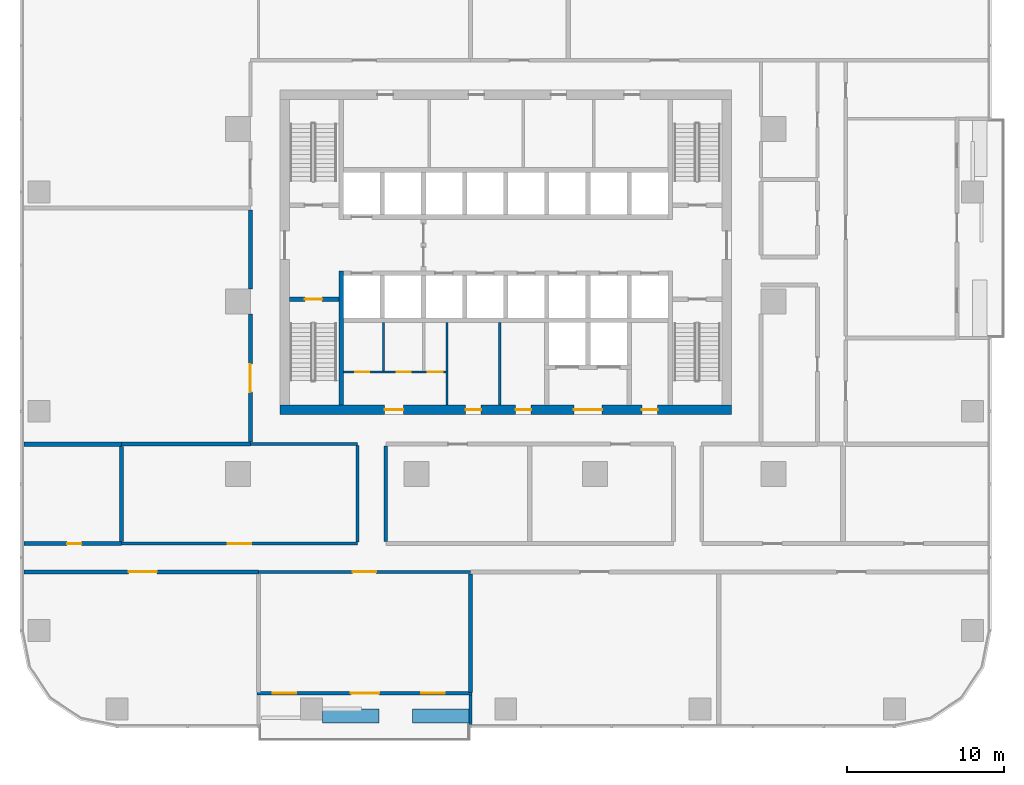
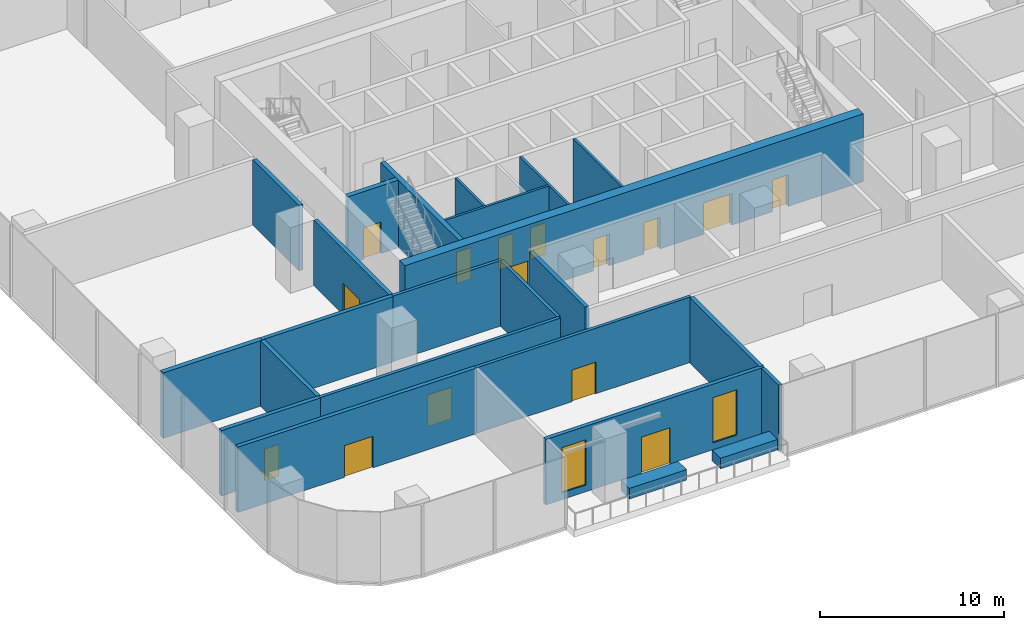
# One storey, part 7 of 15: 24 walls, 15 doors, 2 windows, 17 openings.
"""IFC4 building model written with IfcOpenShell, lengths in metres."""

from ifc_helpers import new_model, si_unit, direction, frame, frame_2d, origin, place, context, subcontext, project, spatial, rectangle, extrude, material, layer, layer_set, type_object, element, fill, save


model = new_model("IFC4")

# Units and contexts
model_context = context("Model", 3, precision=1e-05, world=origin(), true_north=direction((0.0, 1.0)))
body_context = subcontext(model_context, "Body", "Model", "MODEL_VIEW")
ifc_project = project(units=[si_unit("LENGTHUNIT", "METRE"), si_unit("AREAUNIT", "SQUARE_METRE"), si_unit("VOLUMEUNIT", "CUBIC_METRE"), si_unit("PLANEANGLEUNIT", "RADIAN"), si_unit("MASSUNIT", "GRAM", prefix="KILO")], contexts=[model_context])

# Site, building, storey
site_placement = place(None, origin())
site = spatial("IfcSite", under=ifc_project, at=site_placement, CompositionType="ELEMENT")
building_placement = place(site_placement, origin())
building = spatial("IfcBuilding", under=site, at=building_placement, Name="Mopane Tessera Tower", CompositionType="ELEMENT")
storey_placement = place(building_placement, frame((0.0, 0.0, 79.0)))
storey = spatial("IfcBuildingStorey", under=building, at=storey_placement, Name="L15", CompositionType="ELEMENT", Elevation=79.0)

# Wall, openings, doors
ifc_material_1 = material(Name="Fire-rated gypsum board partition")
ifc_layer_1 = layer(ifc_material_1, 0.14990234375)
ifc_layer_set_1 = layer_set([ifc_layer_1], Name="Fire-rated gypsum board partition")
wall_type_1 = type_object("IfcWallType", Name="Core room partition 150 mm", PredefinedType="PARTITIONING", material=ifc_layer_set_1)
wall_1_placement = place(storey_placement, frame((-10.35009765625, -4.5, 0.0), z_axis=(0.0, 0.0, 1.0), x_axis=(1.0, 0.0, 0.0)))
wall_1 = element("IfcWall", 1, at=wall_1_placement, inside=storey, type_object=wall_type_1, Name="L15 WC partition", PredefinedType="PARTITIONING", context=body_context, shape_type="SweptSolid", body=[
    extrude(rectangle(XDim=6.525146484375, YDim=0.14990234375, at=frame_2d((3.2626953125, 0.0))), origin(), (0.0, 0.0, 1.0), 4.5),
])
opening_1_placement = place(wall_1_placement, frame((0.75, 0.0, 0.0)))
opening_1 = element("IfcOpeningElement", 2, at=opening_1_placement, cuts=wall_1, Name="Opening WD1", PredefinedType="OPENING", context=body_context, shape_type="SweptSolid", body=[
    extrude(rectangle(XDim=0.89990234375, YDim=2.10009765625, at=frame_2d((0.449951171875, 1.050048828125))), frame((0.0, 0.0869140625, 0.0), z_axis=(0.0, -1.0, 0.0), x_axis=(1.0, 0.0, 0.0)), (0.0, 0.0, 1.0), 0.173828125),
])
opening_2_placement = place(wall_1_placement, frame((3.382568359375, 0.0, 0.0)))
opening_2 = element("IfcOpeningElement", 3, at=opening_2_placement, cuts=wall_1, Name="Opening WD1", PredefinedType="OPENING", context=body_context, shape_type="SweptSolid", body=[
    extrude(rectangle(XDim=0.89990234375, YDim=2.10009765625, at=frame_2d((0.449951171875, 1.050048828125))), frame((0.0, 0.0869140625, 0.0), z_axis=(0.0, -1.0, 0.0), x_axis=(1.0, 0.0, 0.0)), (0.0, 0.0, 1.0), 0.173828125),
])
opening_3_placement = place(wall_1_placement, frame((5.382568359375, 0.0, 0.0)))
opening_3 = element("IfcOpeningElement", 4, at=opening_3_placement, cuts=wall_1, Name="Opening WD2", PredefinedType="OPENING", context=body_context, shape_type="SweptSolid", body=[
    extrude(rectangle(XDim=0.949951171875, YDim=2.10009765625, at=frame_2d((0.47509765625, 1.050048828125))), frame((0.0, 0.0869140625, 0.0), z_axis=(0.0, -1.0, 0.0), x_axis=(1.0, 0.0, 0.0)), (0.0, 0.0, 1.0), 0.173828125),
])
ifc_material_2 = material(Name="Timber door", Category="wood")
door_type_1 = type_object("IfcDoorType", Name="Accessible WC door 950 x 2100", OperationType="SINGLE_SWING_LEFT", PredefinedType="DOOR", material=ifc_material_2)
door_1_placement = place(opening_3_placement, origin())
door_1 = element("IfcDoor", 5, at=door_1_placement, inside=storey, type_object=door_type_1, Name="L15 Accessible WC door", OperationType="SINGLE_SWING_LEFT", OverallHeight=2.10009765625, OverallWidth=0.949951171875, PredefinedType="DOOR", context=body_context, shape_type="SweptSolid", body=[
    extrude(rectangle(XDim=0.949951171875, YDim=2.10009765625, at=frame_2d((0.47509765625, 1.050048828125))), frame((0.0, 0.02490234375, 0.0), z_axis=(0.0, -1.0, 0.0), x_axis=(1.0, 0.0, 0.0)), (0.0, 0.0, 1.0), 0.050048828125),
])
fill(opening_3, door_1)
ifc_material_3 = material(Name="Timber door", Category="wood")
door_type_2 = type_object("IfcDoorType", Name="WC cubicle door 900 x 2100", OperationType="SINGLE_SWING_LEFT", PredefinedType="DOOR", material=ifc_material_3)
door_2_placement = place(opening_1_placement, origin())
door_2 = element("IfcDoor", 6, at=door_2_placement, inside=storey, type_object=door_type_2, Name="L15 Men's WC door", OperationType="SINGLE_SWING_LEFT", OverallHeight=2.10009765625, OverallWidth=0.89990234375, PredefinedType="DOOR", context=body_context, shape_type="SweptSolid", body=[
    extrude(rectangle(XDim=0.89990234375, YDim=2.10009765625, at=frame_2d((0.449951171875, 1.050048828125))), frame((0.0, 0.02490234375, 0.0), z_axis=(0.0, -1.0, 0.0), x_axis=(1.0, 0.0, 0.0)), (0.0, 0.0, 1.0), 0.050048828125),
])
fill(opening_1, door_2)
door_3_placement = place(opening_2_placement, origin())
door_3 = element("IfcDoor", 7, at=door_3_placement, inside=storey, type_object=door_type_2, Name="L15 Women's WC door", OperationType="SINGLE_SWING_LEFT", OverallHeight=2.10009765625, OverallWidth=0.89990234375, PredefinedType="DOOR", context=body_context, shape_type="SweptSolid", body=[
    extrude(rectangle(XDim=0.89990234375, YDim=2.10009765625, at=frame_2d((0.449951171875, 1.050048828125))), frame((0.0, 0.02490234375, 0.0), z_axis=(0.0, -1.0, 0.0), x_axis=(1.0, 0.0, 0.0)), (0.0, 0.0, 1.0), 0.050048828125),
])
fill(opening_2, door_3)

# Walls
wall_2_placement = place(storey_placement, frame((-7.800048828125, -4.425048828125, 0.0), z_axis=(0.0, 0.0, 1.0), x_axis=(0.0, 1.0, 0.0)))
element("IfcWall", 8, at=wall_2_placement, inside=storey, type_object=wall_type_1, Name="L15 WC partition", PredefinedType="PARTITIONING", context=body_context, shape_type="SweptSolid", body=[
    extrude(rectangle(XDim=3.074951171875, YDim=0.14990234375, at=frame_2d((1.53759765625, 0.0))), origin(), (0.0, 0.0, 1.0), 4.5),
])
for number, where, z_axis, x_axis, name in (
    (9, (-3.75, -6.60009765625, 0.0), (0.0, 0.0, 1.0), (0.0, 1.0, 0.0), "L15 Room partition"),
    (10, (-0.375, -6.60009765625, 0.0), (0.0, 0.0, 1.0), (0.0, 1.0, 0.0), "L15 Room partition"),
):
    element("IfcWall", number, at=place(storey_placement, frame(where, z_axis=z_axis, x_axis=x_axis)), inside=storey, type_object=wall_type_1, Name=name, PredefinedType="PARTITIONING", context=body_context, shape_type="SweptSolid", body=[
        extrude(rectangle(XDim=5.25, YDim=0.14990234375, at=frame_2d((2.625, 0.0))), origin(), (0.0, 0.0, 1.0), 4.5),
    ])

# Wall, openings, doors
ifc_material_4 = material(Name="Concrete C70/85", Category="concrete")
ifc_layer_2 = layer(ifc_material_4, 0.60009765625)
ifc_layer_set_2 = layer_set([ifc_layer_2], Name="Concrete C70/85")
wall_type_2 = type_object("IfcWallType", Name="Core shear wall 600 mm", PredefinedType="SHEAR", material=ifc_layer_set_2)
wall_3_placement = place(storey_placement, frame((-14.39990234375, -6.89990234375, 0.0), z_axis=(0.0, 0.0, 1.0), x_axis=(1.0, 0.0, 0.0)))
wall_3 = element("IfcWall", 11, at=wall_3_placement, inside=storey, type_object=wall_type_2, Name="L15 Core wall south", PredefinedType="SHEAR", context=body_context, shape_type="SweptSolid", body=[
    extrude(rectangle(XDim=28.7998046875, YDim=0.60009765625, at=frame_2d((14.39990234375, 0.0))), origin(), (0.0, 0.0, 1.0), 4.5),
])
opening_4_placement = place(wall_3_placement, frame((6.675048828125, 0.0, 0.0)))
opening_4 = element("IfcOpeningElement", 12, at=opening_4_placement, cuts=wall_3, Name="Opening WD3", PredefinedType="OPENING", context=body_context, shape_type="SweptSolid", body=[
    extrude(rectangle(XDim=1.199951171875, YDim=2.10009765625, at=frame_2d((0.60009765625, 1.050048828125))), frame((0.0, 0.31201171875, 0.0), z_axis=(0.0, -1.0, 0.0), x_axis=(1.0, 0.0, 0.0)), (0.0, 0.0, 1.0), 0.6240234375),
])
opening_5_placement = place(wall_3_placement, frame((11.83740234375, 0.0, 0.0)))
opening_5 = element("IfcOpeningElement", 13, at=opening_5_placement, cuts=wall_3, Name="Opening RD1", PredefinedType="OPENING", context=body_context, shape_type="SweptSolid", body=[
    extrude(rectangle(XDim=1.0, YDim=2.10009765625, at=frame_2d((0.5, 1.050048828125))), frame((0.0, 0.31201171875, 0.0), z_axis=(0.0, -1.0, 0.0), x_axis=(1.0, 0.0, 0.0)), (0.0, 0.0, 1.0), 0.6240234375),
])
opening_6_placement = place(wall_3_placement, frame((15.02490234375, 0.0, 0.0)))
opening_6 = element("IfcOpeningElement", 14, at=opening_6_placement, cuts=wall_3, Name="Opening RD1", PredefinedType="OPENING", context=body_context, shape_type="SweptSolid", body=[
    extrude(rectangle(XDim=1.0, YDim=2.10009765625, at=frame_2d((0.5, 1.050048828125))), frame((0.0, 0.31201171875, 0.0), z_axis=(0.0, -1.0, 0.0), x_axis=(1.0, 0.0, 0.0)), (0.0, 0.0, 1.0), 0.6240234375),
])
opening_7_placement = place(wall_3_placement, frame((18.75, 0.0, 0.0)))
opening_7 = element("IfcOpeningElement", 15, at=opening_7_placement, cuts=wall_3, Name="Opening SD2", PredefinedType="OPENING", context=body_context, shape_type="SweptSolid", body=[
    extrude(rectangle(XDim=1.800048828125, YDim=2.10009765625, at=frame_2d((0.89990234375, 1.050048828125))), frame((0.0, 0.31201171875, 0.0), z_axis=(0.0, -1.0, 0.0), x_axis=(1.0, 0.0, 0.0)), (0.0, 0.0, 1.0), 0.6240234375),
])
opening_8_placement = place(wall_3_placement, frame((23.08740234375, 0.0, 0.0)))
opening_8 = element("IfcOpeningElement", 16, at=opening_8_placement, cuts=wall_3, Name="Opening RD1", PredefinedType="OPENING", context=body_context, shape_type="SweptSolid", body=[
    extrude(rectangle(XDim=1.0, YDim=2.10009765625, at=frame_2d((0.5, 1.050048828125))), frame((0.0, 0.31201171875, 0.0), z_axis=(0.0, -1.0, 0.0), x_axis=(1.0, 0.0, 0.0)), (0.0, 0.0, 1.0), 0.6240234375),
])
ifc_material_5 = material(Name="Steel fire door", Category="steel")
door_type_3 = type_object("IfcDoorType", Name="Core entrance double door 1800 x 2100", OperationType="DOUBLE_DOOR_SINGLE_SWING", PredefinedType="DOOR", material=ifc_material_5)
door_4_placement = place(opening_7_placement, origin())
door_4 = element("IfcDoor", 17, at=door_4_placement, inside=storey, type_object=door_type_3, Name="L15 Service lobby door", OperationType="DOUBLE_DOOR_SINGLE_SWING", OverallHeight=2.10009765625, OverallWidth=1.800048828125, PredefinedType="DOOR", context=body_context, shape_type="SweptSolid", body=[
    extrude(rectangle(XDim=1.800048828125, YDim=2.10009765625, at=frame_2d((0.89990234375, 1.050048828125))), frame((0.0, 0.02490234375, 0.0), z_axis=(0.0, -1.0, 0.0), x_axis=(1.0, 0.0, 0.0)), (0.0, 0.0, 1.0), 0.050048828125),
])
fill(opening_7, door_4)
ifc_material_6 = material(Name="Timber door", Category="wood")
door_type_4 = type_object("IfcDoorType", Name="Core room door 1000 x 2100", OperationType="SINGLE_SWING_LEFT", PredefinedType="DOOR", material=ifc_material_6)
door_5_placement = place(opening_5_placement, origin())
door_5 = element("IfcDoor", 18, at=door_5_placement, inside=storey, type_object=door_type_4, Name="L15 Room door", OperationType="SINGLE_SWING_LEFT", OverallHeight=2.10009765625, OverallWidth=1.0, PredefinedType="DOOR", context=body_context, shape_type="SweptSolid", body=[
    extrude(rectangle(XDim=1.0, YDim=2.10009765625, at=frame_2d((0.5, 1.050048828125))), frame((0.0, 0.02490234375, 0.0), z_axis=(0.0, -1.0, 0.0), x_axis=(1.0, 0.0, 0.0)), (0.0, 0.0, 1.0), 0.050048828125),
])
fill(opening_5, door_5)
door_6_placement = place(opening_6_placement, origin())
door_6 = element("IfcDoor", 19, at=door_6_placement, inside=storey, type_object=door_type_4, Name="L15 Room door", OperationType="SINGLE_SWING_LEFT", OverallHeight=2.10009765625, OverallWidth=1.0, PredefinedType="DOOR", context=body_context, shape_type="SweptSolid", body=[
    extrude(rectangle(XDim=1.0, YDim=2.10009765625, at=frame_2d((0.5, 1.050048828125))), frame((0.0, 0.02490234375, 0.0), z_axis=(0.0, -1.0, 0.0), x_axis=(1.0, 0.0, 0.0)), (0.0, 0.0, 1.0), 0.050048828125),
])
fill(opening_6, door_6)
door_7_placement = place(opening_8_placement, origin())
door_7 = element("IfcDoor", 20, at=door_7_placement, inside=storey, type_object=door_type_4, Name="L15 Room door", OperationType="SINGLE_SWING_LEFT", OverallHeight=2.10009765625, OverallWidth=1.0, PredefinedType="DOOR", context=body_context, shape_type="SweptSolid", body=[
    extrude(rectangle(XDim=1.0, YDim=2.10009765625, at=frame_2d((0.5, 1.050048828125))), frame((0.0, 0.02490234375, 0.0), z_axis=(0.0, -1.0, 0.0), x_axis=(1.0, 0.0, 0.0)), (0.0, 0.0, 1.0), 0.050048828125),
])
fill(opening_8, door_7)
ifc_material_7 = material(Name="Timber door", Category="wood")
door_type_5 = type_object("IfcDoorType", Name="WC lobby door 1200 x 2100", OperationType="SINGLE_SWING_LEFT", PredefinedType="DOOR", material=ifc_material_7)
door_8_placement = place(opening_4_placement, origin())
door_8 = element("IfcDoor", 21, at=door_8_placement, inside=storey, type_object=door_type_5, Name="L15 WC lobby door", OperationType="SINGLE_SWING_LEFT", OverallHeight=2.10009765625, OverallWidth=1.199951171875, PredefinedType="DOOR", context=body_context, shape_type="SweptSolid", body=[
    extrude(rectangle(XDim=1.199951171875, YDim=2.10009765625, at=frame_2d((0.60009765625, 1.050048828125))), frame((0.0, 0.02490234375, 0.0), z_axis=(0.0, -1.0, 0.0), x_axis=(1.0, 0.0, 0.0)), (0.0, 0.0, 1.0), 0.050048828125),
])
fill(opening_4, door_8)

# Wall
ifc_material_8 = material(Name="Concrete C60/75", Category="concrete")
ifc_layer_3 = layer(ifc_material_8, 0.300048828125)
ifc_layer_set_3 = layer_set([ifc_layer_3], Name="Concrete C60/75")
wall_type_3 = type_object("IfcWallType", Name="Core spine wall 300 mm", PredefinedType="SHEAR", material=ifc_layer_set_3)
wall_4_placement = place(storey_placement, frame((-10.5, -6.60009765625, 0.0), z_axis=(0.0, 0.0, 1.0), x_axis=(0.0, 1.0, 0.0)))
element("IfcWall", 22, at=wall_4_placement, inside=storey, type_object=wall_type_3, Name="L15 Core spine wall", PredefinedType="SHEAR", context=body_context, shape_type="SweptSolid", body=[
    extrude(rectangle(XDim=8.550048828125, YDim=0.300048828125, at=frame_2d((4.27490234375, 0.0))), origin(), (0.0, 0.0, 1.0), 4.5),
])

# Wall, opening, door
ifc_material_9 = material(Name="Gypsum board on steel studs, two layers each face, mineral wool infill", Category="steel")
ifc_layer_4 = layer(ifc_material_9, 0.199951171875)
ifc_layer_set_4 = layer_set([ifc_layer_4], Name="Gypsum board on steel studs, two layers each face, mineral wool infill")
wall_type_4 = type_object("IfcWallType", Name="Gypsum board corridor wall 200, rated EI 60", PredefinedType="PARTITIONING", material=ifc_layer_set_4)
wall_5_placement = place(storey_placement, frame((-15.780029296875, -17.25, 0.0), z_axis=(0.0, 0.0, 1.0), x_axis=(1.0, 0.0, 0.0)))
wall_5 = element("IfcWall", 23, at=wall_5_placement, inside=storey, type_object=wall_type_4, Name="Partition L15:000", PredefinedType="PARTITIONING", context=body_context, shape_type="SweptSolid", body=[
    extrude(rectangle(XDim=13.525146484375, YDim=0.199951171875, at=frame_2d((6.7626953125, 0.0))), origin(), (0.0, 0.0, 1.0), 4.35009765625),
])
opening_9_placement = place(wall_5_placement, frame((6.012451171875, 0.0, 0.0)))
opening_9 = element("IfcOpeningElement", 24, at=opening_9_placement, cuts=wall_5, Name="Opening L15-20", PredefinedType="OPENING", context=body_context, shape_type="SweptSolid", body=[
    extrude(rectangle(XDim=1.5, YDim=2.10009765625, at=frame_2d((0.75, 1.050048828125))), frame((0.0, 0.112060546875, 0.0), z_axis=(0.0, -1.0, 0.0), x_axis=(1.0, 0.0, 0.0)), (0.0, 0.0, 1.0), 0.223876953125),
])
ifc_material_10 = material(Name="Timber veneered steel-framed fire door", Category="steel")
door_type_6 = type_object("IfcDoorType", Name="Fire door pair FD60 1500 x 2100", OperationType="DOUBLE_DOOR_SINGLE_SWING", PredefinedType="DOOR", material=ifc_material_10)
door_9_placement = place(opening_9_placement, origin())
door_9 = element("IfcDoor", 25, at=door_9_placement, inside=storey, type_object=door_type_6, Name="Door L15-20", ObjectType="D17A", OperationType="DOUBLE_DOOR_SINGLE_SWING", OverallHeight=2.10009765625, OverallWidth=1.5, PredefinedType="DOOR", context=body_context, shape_type="SweptSolid", body=[
    extrude(rectangle(XDim=1.5, YDim=2.10009765625, at=frame_2d((0.75, 1.050048828125))), frame((0.0, 0.02490234375, 0.0), z_axis=(0.0, -1.0, 0.0), x_axis=(1.0, 0.0, 0.0)), (0.0, 0.0, 1.0), 0.050048828125),
])
fill(opening_9, door_9)

wall_6_placement = place(storey_placement, frame((-24.52490234375, -15.449951171875, 0.0), z_axis=(0.0, 0.0, 1.0), x_axis=(1.0, 0.0, 0.0)))
wall_6 = element("IfcWall", 26, at=wall_6_placement, inside=storey, type_object=wall_type_4, Name="Partition L15:003", PredefinedType="PARTITIONING", context=body_context, shape_type="SweptSolid", body=[
    extrude(rectangle(XDim=15.06982421875, YDim=0.199951171875, at=frame_2d((7.534912109375, 0.0))), origin(), (0.0, 0.0, 1.0), 4.35009765625),
])
opening_10_placement = place(wall_6_placement, frame((6.784912109375, 0.0, 0.0)))
opening_10 = element("IfcOpeningElement", 27, at=opening_10_placement, cuts=wall_6, Name="Opening L15-15", PredefinedType="OPENING", context=body_context, shape_type="SweptSolid", body=[
    extrude(rectangle(XDim=1.5, YDim=2.10009765625, at=frame_2d((0.75, 1.050048828125))), frame((0.0, 0.112060546875, 0.0), z_axis=(0.0, -1.0, 0.0), x_axis=(1.0, 0.0, 0.0)), (0.0, 0.0, 1.0), 0.223876953125),
])
door_10_placement = place(opening_10_placement, origin())
door_10 = element("IfcDoor", 28, at=door_10_placement, inside=storey, type_object=door_type_6, Name="Door L15-15", ObjectType="D17A", OperationType="DOUBLE_DOOR_SINGLE_SWING", OverallHeight=2.10009765625, OverallWidth=1.5, PredefinedType="DOOR", context=body_context, shape_type="SweptSolid", body=[
    extrude(rectangle(XDim=1.5, YDim=2.10009765625, at=frame_2d((0.75, 1.050048828125))), frame((0.0, 0.02490234375, 0.0), z_axis=(0.0, -1.0, 0.0), x_axis=(1.0, 0.0, 0.0)), (0.0, 0.0, 1.0), 0.050048828125),
])
fill(opening_10, door_10)

# Walls
wall_7_placement = place(storey_placement, frame((-16.300048828125, -9.10009765625, 0.0), z_axis=(0.0, 0.0, 1.0), x_axis=(1.0, 0.0, 0.0)))
element("IfcWall", 29, at=wall_7_placement, inside=storey, type_object=wall_type_4, Name="Partition L15:007", PredefinedType="PARTITIONING", context=body_context, shape_type="SweptSolid", body=[
    extrude(rectangle(XDim=6.844970703125, YDim=0.199951171875, at=frame_2d((3.42236328125, 0.0))), origin(), (0.0, 0.0, 1.0), 4.35009765625),
])
wall_8_placement = place(storey_placement, frame((-9.455078125, -15.35009765625, 0.0), z_axis=(0.0, 0.0, 1.0), x_axis=(0.0, 1.0, 0.0)))
element("IfcWall", 30, at=wall_8_placement, inside=storey, type_object=wall_type_4, Name="Partition L15:030", PredefinedType="PARTITIONING", context=body_context, shape_type="SweptSolid", body=[
    extrude(rectangle(XDim=6.150146484375, YDim=0.199951171875, at=frame_2d((3.0751953125, 0.0))), origin(), (0.0, 0.0, 1.0), 4.35009765625),
])

# Wall, opening, door
ifc_material_11 = material(Name="Concrete C50/60", Category="concrete")
ifc_layer_5 = layer(ifc_material_11, 0.300048828125)
ifc_layer_set_5 = layer_set([ifc_layer_5], Name="Concrete C50/60")
wall_type_5 = type_object("IfcWallType", Name="Lift and stair shaft wall 300 mm", PredefinedType="SOLIDWALL", material=ifc_layer_set_5)
wall_9_placement = place(storey_placement, frame((-13.800048828125, 0.14990234375, 0.0), z_axis=(0.0, 0.0, 1.0), x_axis=(1.0, 0.0, 0.0)))
wall_9 = element("IfcWall", 31, at=wall_9_placement, inside=storey, type_object=wall_type_5, Name="L15 Stair enclosure wall", PredefinedType="SOLIDWALL", context=body_context, shape_type="SweptSolid", body=[
    extrude(rectangle(XDim=3.150146484375, YDim=0.300048828125, at=frame_2d((1.5751953125, 0.0))), origin(), (0.0, 0.0, 1.0), 4.5),
])
opening_11_placement = place(wall_9_placement, frame((0.97509765625, 0.0, 0.0)))
opening_11 = element("IfcOpeningElement", 32, at=opening_11_placement, cuts=wall_9, Name="Opening SD1", PredefinedType="OPENING", context=body_context, shape_type="SweptSolid", body=[
    extrude(rectangle(XDim=1.10009765625, YDim=2.10009765625, at=frame_2d((0.550048828125, 1.050048828125))), frame((0.0, 0.162109375, 0.0), z_axis=(0.0, -1.0, 0.0), x_axis=(1.0, 0.0, 0.0)), (0.0, 0.0, 1.0), 0.323974609375),
])
ifc_material_12 = material(Name="Steel fire door", Category="steel")
door_type_7 = type_object("IfcDoorType", Name="Stair fire door 1100 x 2100", OperationType="SINGLE_SWING_LEFT", PredefinedType="DOOR", material=ifc_material_12)
door_11_placement = place(opening_11_placement, origin())
door_11 = element("IfcDoor", 33, at=door_11_placement, inside=storey, type_object=door_type_7, Name="L15 Stair door ST1", OperationType="SINGLE_SWING_LEFT", OverallHeight=2.10009765625, OverallWidth=1.10009765625, PredefinedType="DOOR", context=body_context, shape_type="SweptSolid", body=[
    extrude(rectangle(XDim=1.10009765625, YDim=2.10009765625, at=frame_2d((0.550048828125, 1.050048828125))), frame((0.0, 0.02490234375, 0.0), z_axis=(0.0, -1.0, 0.0), x_axis=(1.0, 0.0, 0.0)), (0.0, 0.0, 1.0), 0.050048828125),
])
fill(opening_11, door_11)

# Walls
ifc_material_13 = material(Name="Reinforced concrete C32/40 with waterproofing", Category="concrete")
ifc_layer_6 = layer(ifc_material_13, 0.89990234375)
ifc_layer_set_6 = layer_set([ifc_layer_6], Name="Reinforced concrete C32/40 with waterproofing")
wall_type_6 = type_object("IfcWallType", Name="Planter trough 3600 x 900", PredefinedType="STANDARD", material=ifc_layer_set_6)
for number, where, z_axis, x_axis, name in (
    (34, (-11.679931640625, -26.449951171875, 0.0), (0.0, 0.0, 1.0), (1.0, 0.0, 0.0), "e:nw:L15:N3:pl0"),
    (35, (-5.95458984375, -26.449951171875, 0.0), (0.0, 0.0, 1.0), (1.0, 0.0, 0.0), "e:nw:L15:N3:pl1"),
):
    element("IfcWall", number, at=place(storey_placement, frame(where, z_axis=z_axis, x_axis=x_axis)), inside=storey, type_object=wall_type_6, Name=name, PredefinedType="STANDARD", context=body_context, shape_type="SweptSolid", body=[
        extrude(rectangle(XDim=3.60009765625, YDim=0.89990234375, at=frame_2d((1.800048828125, 0.0))), origin(), (0.0, 0.0, 1.0), 0.699951171875),
    ])
ifc_material_14 = material(Name="Plastered concrete blockwork C20/25", Category="masonry")
ifc_layer_7 = layer(ifc_material_14, 0.300048828125)
ifc_layer_set_7 = layer_set([ifc_layer_7], Name="Plastered concrete blockwork C20/25")
wall_type_7 = type_object("IfcWallType", Name="Plastered blockwork separation wall 300, rated EI 120", PredefinedType="PARTITIONING", material=ifc_layer_set_7)
wall_10_placement = place(storey_placement, frame((-30.75, -9.10009765625, 0.0), z_axis=(0.0, 0.0, 1.0), x_axis=(1.0, 0.0, 0.0)))
element("IfcWall", 36, at=wall_10_placement, inside=storey, type_object=wall_type_7, Name="Partition L15:012", PredefinedType="PARTITIONING", context=body_context, shape_type="SweptSolid", body=[
    extrude(rectangle(XDim=6.22509765625, YDim=0.300048828125, at=frame_2d((3.112548828125, 0.0))), origin(), (0.0, 0.0, 1.0), 4.35009765625),
])

# Wall, opening, door
ifc_material_15 = material(Name="Plastered concrete blockwork C20/25", Category="masonry")
ifc_layer_8 = layer(ifc_material_15, 0.25)
ifc_layer_set_8 = layer_set([ifc_layer_8], Name="Plastered concrete blockwork C20/25")
wall_type_8 = type_object("IfcWallType", Name="Plastered blockwork wall 250, rated EI 120", PredefinedType="PARTITIONING", material=ifc_layer_set_8)
wall_11_placement = place(storey_placement, frame((-30.75, -17.25, 0.0), z_axis=(0.0, 0.0, 1.0), x_axis=(1.0, 0.0, 0.0)))
wall_11 = element("IfcWall", 37, at=wall_11_placement, inside=storey, type_object=wall_type_8, Name="Partition L15:001", PredefinedType="PARTITIONING", context=body_context, shape_type="SweptSolid", body=[
    extrude(rectangle(XDim=14.969970703125, YDim=0.25, at=frame_2d((7.48486328125, 0.0))), origin(), (0.0, 0.0, 1.0), 4.35009765625),
])
opening_12_placement = place(wall_11_placement, frame((6.68505859375, 0.0, 0.0)))
opening_12 = element("IfcOpeningElement", 38, at=opening_12_placement, cuts=wall_11, Name="Opening L15-05", PredefinedType="OPENING", context=body_context, shape_type="SweptSolid", body=[
    extrude(rectangle(XDim=1.800048828125, YDim=2.10009765625, at=frame_2d((0.89990234375, 1.050048828125))), frame((0.0, 0.136962890625, 0.0), z_axis=(0.0, -1.0, 0.0), x_axis=(1.0, 0.0, 0.0)), (0.0, 0.0, 1.0), 0.27392578125),
])
ifc_material_16 = material(Name="Timber veneered steel-framed fire door", Category="steel")
door_type_8 = type_object("IfcDoorType", Name="Fire door pair FD120 1800 x 2100", OperationType="DOUBLE_DOOR_SINGLE_SWING", PredefinedType="DOOR", material=ifc_material_16)
door_12_placement = place(opening_12_placement, origin())
door_12 = element("IfcDoor", 39, at=door_12_placement, inside=storey, type_object=door_type_8, Name="Door L15-05", ObjectType="D20B", OperationType="DOUBLE_DOOR_SINGLE_SWING", OverallHeight=2.10009765625, OverallWidth=1.800048828125, PredefinedType="DOOR", context=body_context, shape_type="SweptSolid", body=[
    extrude(rectangle(XDim=1.800048828125, YDim=2.10009765625, at=frame_2d((0.89990234375, 1.050048828125))), frame((0.0, 0.02490234375, 0.0), z_axis=(0.0, -1.0, 0.0), x_axis=(1.0, 0.0, 0.0)), (0.0, 0.0, 1.0), 0.050048828125),
])
fill(opening_12, door_12)

wall_12_placement = place(storey_placement, frame((-30.75, -15.449951171875, 0.0), z_axis=(0.0, 0.0, 1.0), x_axis=(1.0, 0.0, 0.0)))
wall_12 = element("IfcWall", 40, at=wall_12_placement, inside=storey, type_object=wall_type_8, Name="Partition L15:004", PredefinedType="PARTITIONING", context=body_context, shape_type="SweptSolid", body=[
    extrude(rectangle(XDim=6.22509765625, YDim=0.25, at=frame_2d((3.112548828125, 0.0))), origin(), (0.0, 0.0, 1.0), 4.35009765625),
])
opening_13_placement = place(wall_12_placement, frame((2.762451171875, 0.0, 0.0)))
opening_13 = element("IfcOpeningElement", 41, at=opening_13_placement, cuts=wall_12, Name="Opening L15-12", PredefinedType="OPENING", context=body_context, shape_type="SweptSolid", body=[
    extrude(rectangle(XDim=0.89990234375, YDim=2.10009765625, at=frame_2d((0.449951171875, 1.050048828125))), frame((0.0, 0.136962890625, 0.0), z_axis=(0.0, -1.0, 0.0), x_axis=(1.0, 0.0, 0.0)), (0.0, 0.0, 1.0), 0.27392578125),
])
ifc_material_17 = material(Name="Timber veneered steel-framed fire door", Category="steel")
door_type_9 = type_object("IfcDoorType", Name="Fire door FD120 900 x 2100", OperationType="SINGLE_SWING_LEFT", PredefinedType="DOOR", material=ifc_material_17)
door_13_placement = place(opening_13_placement, origin())
door_13 = element("IfcDoor", 42, at=door_13_placement, inside=storey, type_object=door_type_9, Name="Door L15-12", ObjectType="D10B", OperationType="SINGLE_SWING_RIGHT", OverallHeight=2.10009765625, OverallWidth=0.89990234375, PredefinedType="DOOR", context=body_context, shape_type="SweptSolid", body=[
    extrude(rectangle(XDim=0.89990234375, YDim=2.10009765625, at=frame_2d((0.449951171875, 1.050048828125))), frame((0.0, 0.02490234375, 0.0), z_axis=(0.0, -1.0, 0.0), x_axis=(1.0, 0.0, 0.0)), (0.0, 0.0, 1.0), 0.050048828125),
])
fill(opening_13, door_13)

# Walls
wall_13_placement = place(storey_placement, frame((-24.52490234375, -9.10009765625, 0.0), z_axis=(0.0, 0.0, 1.0), x_axis=(1.0, 0.0, 0.0)))
element("IfcWall", 43, at=wall_13_placement, inside=storey, type_object=wall_type_8, Name="Partition L15:008", PredefinedType="PARTITIONING", context=body_context, shape_type="SweptSolid", body=[
    extrude(rectangle(XDim=8.224853515625, YDim=0.25, at=frame_2d((4.1123046875, 0.0))), origin(), (0.0, 0.0, 1.0), 4.35009765625),
])
wall_14_placement = place(storey_placement, frame((-24.52490234375, -15.324951171875, 0.0), z_axis=(0.0, 0.0, 1.0), x_axis=(0.0, 1.0, 0.0)))
element("IfcWall", 44, at=wall_14_placement, inside=storey, type_object=wall_type_8, Name="Partition L15:023", PredefinedType="PARTITIONING", context=body_context, shape_type="SweptSolid", body=[
    extrude(rectangle(XDim=6.074951171875, YDim=0.25, at=frame_2d((3.03759765625, 0.0))), origin(), (0.0, 0.0, 1.0), 4.35009765625),
])

# Wall, opening, door
wall_15_placement = place(storey_placement, frame((-16.300048828125, -8.97509765625, 0.0), z_axis=(0.0, 0.0, 1.0), x_axis=(0.0, 1.0, 0.0)))
wall_15 = element("IfcWall", 45, at=wall_15_placement, inside=storey, type_object=wall_type_8, Name="Partition L15:026", PredefinedType="PARTITIONING", context=body_context, shape_type="SweptSolid", body=[
    extrude(rectangle(XDim=8.175048828125, YDim=0.25, at=frame_2d((4.08740234375, 0.0))), origin(), (0.0, 0.0, 1.0), 4.35009765625),
])
opening_14_placement = place(wall_15_placement, frame((3.1875, 0.0, 0.0)))
opening_14 = element("IfcOpeningElement", 46, at=opening_14_placement, cuts=wall_15, Name="Opening L15-07", PredefinedType="OPENING", context=body_context, shape_type="SweptSolid", body=[
    extrude(rectangle(XDim=1.800048828125, YDim=2.10009765625, at=frame_2d((0.89990234375, 1.050048828125))), frame((0.0, 0.136962890625, 0.0), z_axis=(0.0, -1.0, 0.0), x_axis=(1.0, 0.0, 0.0)), (0.0, 0.0, 1.0), 0.27392578125),
])
door_14_placement = place(opening_14_placement, origin())
door_14 = element("IfcDoor", 47, at=door_14_placement, inside=storey, type_object=door_type_8, Name="Door L15-07", ObjectType="D20B", OperationType="DOUBLE_DOOR_SINGLE_SWING", OverallHeight=2.10009765625, OverallWidth=1.800048828125, PredefinedType="DOOR", context=body_context, shape_type="SweptSolid", body=[
    extrude(rectangle(XDim=1.800048828125, YDim=2.10009765625, at=frame_2d((0.89990234375, 1.050048828125))), frame((0.0, 0.02490234375, 0.0), z_axis=(0.0, -1.0, 0.0), x_axis=(1.0, 0.0, 0.0)), (0.0, 0.0, 1.0), 0.050048828125),
])
fill(opening_14, door_14)

# Walls
wall_16_placement = place(storey_placement, frame((-16.300048828125, 0.800048828125, 0.0), z_axis=(0.0, 0.0, 1.0), x_axis=(0.0, 1.0, 0.0)))
element("IfcWall", 48, at=wall_16_placement, inside=storey, type_object=wall_type_8, Name="Partition L15:027", PredefinedType="PARTITIONING", context=body_context, shape_type="SweptSolid", body=[
    extrude(rectangle(XDim=5.034912109375, YDim=0.25, at=frame_2d((2.517578125, 0.0))), origin(), (0.0, 0.0, 1.0), 4.35009765625),
])
wall_17_placement = place(storey_placement, frame((-7.655029296875, -15.324951171875, 0.0), z_axis=(0.0, 0.0, 1.0), x_axis=(0.0, 1.0, 0.0)))
element("IfcWall", 49, at=wall_17_placement, inside=storey, type_object=wall_type_8, Name="Partition L15:031", PredefinedType="PARTITIONING", context=body_context, shape_type="SweptSolid", body=[
    extrude(rectangle(XDim=6.099853515625, YDim=0.25, at=frame_2d((3.0498046875, 0.0))), origin(), (0.0, 0.0, 1.0), 4.35009765625),
])
wall_18_placement = place(storey_placement, frame((-2.2548828125, -24.949951171875, 0.0), z_axis=(0.0, 0.0, 1.0), x_axis=(0.0, 1.0, 0.0)))
element("IfcWall", 50, at=wall_18_placement, inside=storey, type_object=wall_type_8, Name="Partition L15:032", PredefinedType="PARTITIONING", context=body_context, shape_type="SweptSolid", body=[
    extrude(rectangle(XDim=7.574951171875, YDim=0.25, at=frame_2d((3.78759765625, 0.0))), origin(), (0.0, 0.0, 1.0), 4.35009765625),
])
ifc_material_18 = material(Name="Blockwork with glazed tile facing", Category="masonry")
ifc_layer_9 = layer(ifc_material_18, 0.199951171875)
ifc_layer_set_9 = layer_set([ifc_layer_9], Name="Blockwork with glazed tile facing")
wall_type_9 = type_object("IfcWallType", Name="Terrace cheek wall 200", PredefinedType="STANDARD", material=ifc_layer_set_9)
wall_19_placement = place(storey_placement, frame((-2.254638671875, -27.0, 0.0), z_axis=(0.0, 0.0, 1.0), x_axis=(0.0, 1.0, 0.0)))
element("IfcWall", 51, at=wall_19_placement, inside=storey, type_object=wall_type_9, Name="e:nw:L15:N3:cheekb", PredefinedType="STANDARD", context=body_context, shape_type="SweptSolid", body=[
    extrude(rectangle(XDim=1.875, YDim=0.199951171875, at=frame_2d((0.9375, 0.0))), origin(), (0.0, 0.0, 1.0), 4.35009765625),
])

# Wall, openings, windows, door
ifc_material_19 = material(Name="Blockwork with ochre glazed tile facing", Category="masonry")
ifc_layer_10 = layer(ifc_material_19, 0.25)
ifc_layer_set_10 = layer_set([ifc_layer_10], Name="Blockwork with ochre glazed tile facing")
wall_type_10 = type_object("IfcWallType", Name="Tile-clad external wall 250, ochre", PredefinedType="STANDARD", material=ifc_layer_set_10)
wall_20_placement = place(storey_placement, frame((-15.8818359375, -25.0, 0.0), z_axis=(0.0, 0.0, 1.0), x_axis=(1.0, 0.0, 0.0)))
wall_20 = element("IfcWall", 52, at=wall_20_placement, inside=storey, type_object=wall_type_10, Name="e:nw:L15:N3:back", PredefinedType="STANDARD", context=body_context, shape_type="SweptSolid", body=[
    extrude(rectangle(XDim=13.727294921875, YDim=0.25, at=frame_2d((6.86376953125, 0.0))), origin(), (0.0, 0.0, 1.0), 4.35009765625),
])
opening_15_placement = place(wall_20_placement, frame((1.0, 0.0, 0.449951171875)))
opening_15 = element("IfcOpeningElement", 53, at=opening_15_placement, cuts=wall_20, Name="Opening NW153A", PredefinedType="OPENING", context=body_context, shape_type="SweptSolid", body=[
    extrude(rectangle(XDim=1.5, YDim=3.0, at=frame_2d((0.75, 1.5))), frame((0.0, 0.136962890625, 0.0), z_axis=(0.0, -1.0, 0.0), x_axis=(1.0, 0.0, 0.0)), (0.0, 0.0, 1.0), 0.27392578125),
])
opening_16_placement = place(wall_20_placement, frame((6.0, 0.0, 0.0)))
opening_16 = element("IfcOpeningElement", 54, at=opening_16_placement, cuts=wall_20, Name="Opening ND153", PredefinedType="OPENING", context=body_context, shape_type="SweptSolid", body=[
    extrude(rectangle(XDim=1.800048828125, YDim=2.39990234375, at=frame_2d((0.89990234375, 1.199951171875))), frame((0.0, 0.136962890625, 0.0), z_axis=(0.0, -1.0, 0.0), x_axis=(1.0, 0.0, 0.0)), (0.0, 0.0, 1.0), 0.27392578125),
])
opening_17_placement = place(wall_20_placement, frame((10.5, 0.0, 0.449951171875)))
opening_17 = element("IfcOpeningElement", 55, at=opening_17_placement, cuts=wall_20, Name="Opening NW153B", PredefinedType="OPENING", context=body_context, shape_type="SweptSolid", body=[
    extrude(rectangle(XDim=1.5, YDim=3.0, at=frame_2d((0.75, 1.5))), frame((0.0, 0.136962890625, 0.0), z_axis=(0.0, -1.0, 0.0), x_axis=(1.0, 0.0, 0.0)), (0.0, 0.0, 1.0), 0.27392578125),
])
ifc_material_20 = material(Name="Clear laminated glass", Category="glass")
window_type = type_object("IfcWindowType", Name="Fixed window 1500 x 3000", PartitioningType="SINGLE_PANEL", PredefinedType="WINDOW", material=ifc_material_20)
window_1_placement = place(opening_15_placement, origin())
window_1 = element("IfcWindow", 56, at=window_1_placement, inside=storey, type_object=window_type, Name="e:nw:L15:N3:win0", OverallHeight=3.0, OverallWidth=1.5, PartitioningType="SINGLE_PANEL", PredefinedType="WINDOW", context=body_context, shape_type="SweptSolid", body=[
    extrude(rectangle(XDim=1.5, YDim=3.0, at=frame_2d((0.75, 1.5))), frame((0.0, 0.030029296875, 0.0), z_axis=(0.0, -1.0, 0.0), x_axis=(1.0, 0.0, 0.0)), (0.0, 0.0, 1.0), 0.06005859375),
])
fill(opening_15, window_1)
window_2_placement = place(opening_17_placement, origin())
window_2 = element("IfcWindow", 57, at=window_2_placement, inside=storey, type_object=window_type, Name="e:nw:L15:N3:win2", OverallHeight=3.0, OverallWidth=1.5, PartitioningType="SINGLE_PANEL", PredefinedType="WINDOW", context=body_context, shape_type="SweptSolid", body=[
    extrude(rectangle(XDim=1.5, YDim=3.0, at=frame_2d((0.75, 1.5))), frame((0.0, 0.030029296875, 0.0), z_axis=(0.0, -1.0, 0.0), x_axis=(1.0, 0.0, 0.0)), (0.0, 0.0, 1.0), 0.06005859375),
])
fill(opening_17, window_2)
ifc_material_21 = material(Name="Aluminium and clear glass", Category="aluminium")
door_type_10 = type_object("IfcDoorType", Name="Terrace double door 1800 x 2400", OperationType="DOUBLE_DOOR_SINGLE_SWING", PredefinedType="DOOR", material=ifc_material_21)
door_15_placement = place(opening_16_placement, origin())
door_15 = element("IfcDoor", 58, at=door_15_placement, inside=storey, type_object=door_type_10, Name="e:nw:L15:N3:door", ObjectType="D1", OperationType="DOUBLE_DOOR_SINGLE_SWING", OverallHeight=2.39990234375, OverallWidth=1.800048828125, PredefinedType="DOOR", context=body_context, shape_type="SweptSolid", body=[
    extrude(rectangle(XDim=1.800048828125, YDim=2.39990234375, at=frame_2d((0.89990234375, 1.199951171875))), frame((0.0, 0.02490234375, 0.0), z_axis=(0.0, -1.0, 0.0), x_axis=(1.0, 0.0, 0.0)), (0.0, 0.0, 1.0), 0.050048828125),
])
fill(opening_16, door_15)

save(model, "model.ifc")
